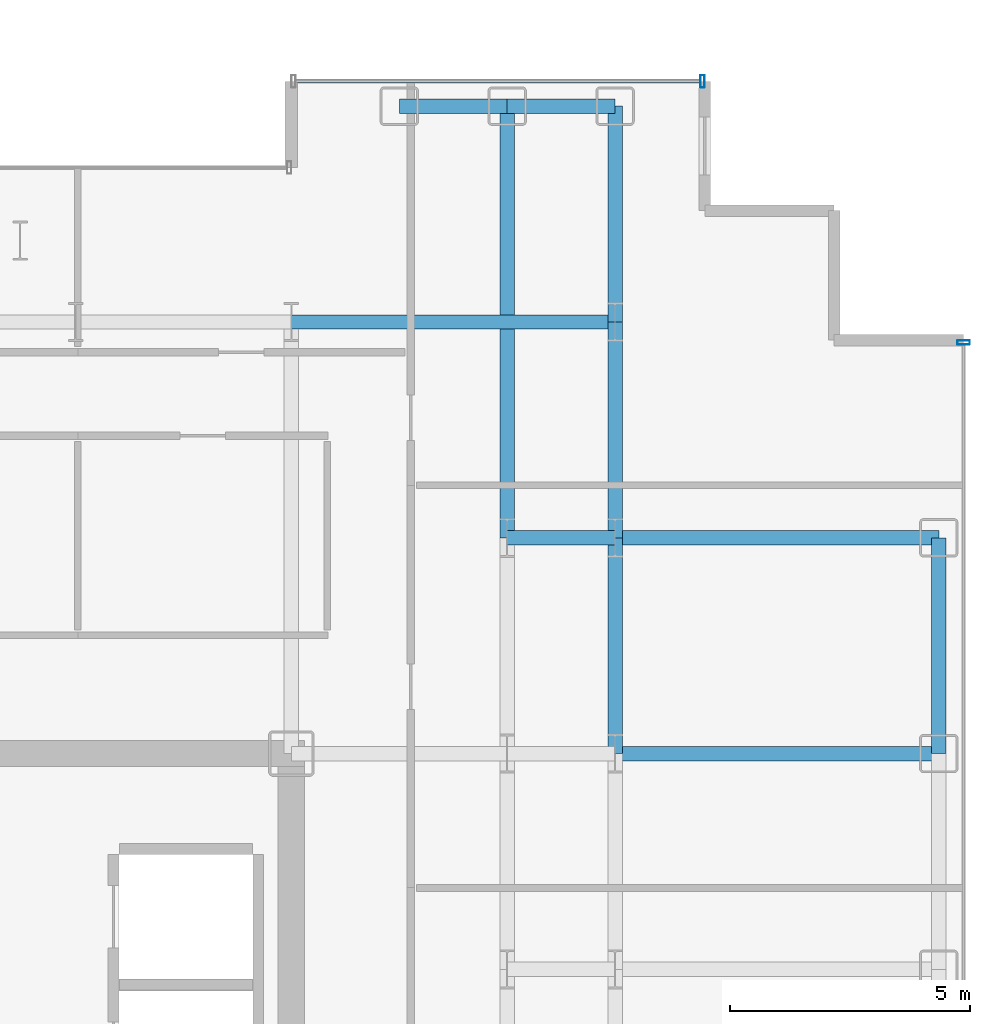
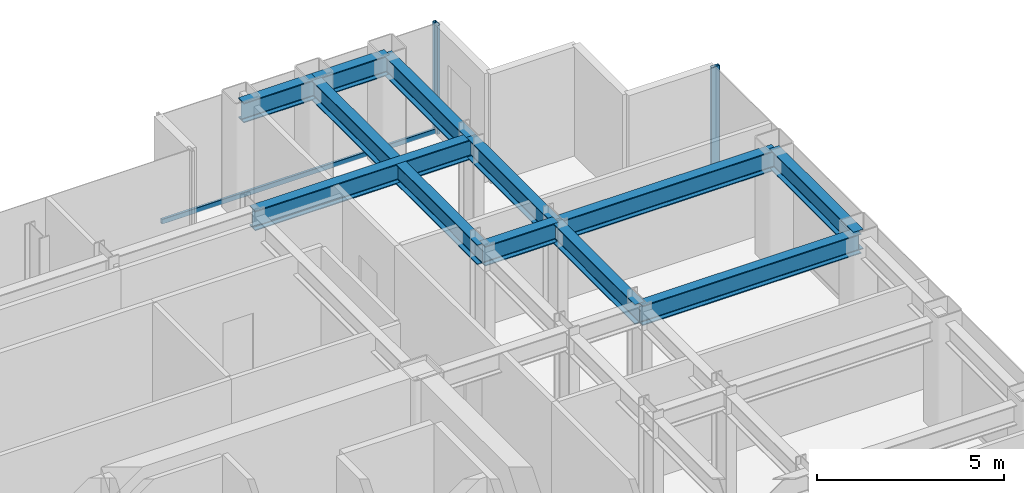
# One storey, part 14 of 23: 11 beams, 3 members, 2 elements without a shape of their own.
"""IFC4 building model written with IfcOpenShell, lengths in metres."""

from ifc_helpers import new_model, si_unit, direction, frame, origin, origin_2d, place, context, subcontext, project, spatial, hollow_rectangle, i_section, extrude, source, transform, mapped, material, layer, layer_set, material_profile, profile_set, type_object, element, aggregate, save


model = new_model("IFC4")

# Units and contexts
model_context = context("Model", 3, precision=1e-05, world=origin(), true_north=direction((0.0, 1.0)))
body_context = subcontext(model_context, "Body", "Model", "MODEL_VIEW")
ifc_project = project(units=[si_unit("LENGTHUNIT", "METRE"), si_unit("AREAUNIT", "SQUARE_METRE"), si_unit("VOLUMEUNIT", "CUBIC_METRE"), si_unit("PLANEANGLEUNIT", "RADIAN"), si_unit("MASSUNIT", "GRAM", prefix="KILO")], contexts=[model_context])

# Site, building, storey
site_placement = place(None, origin())
site = spatial("IfcSite", under=ifc_project, at=site_placement, CompositionType="ELEMENT")
building_placement = place(site_placement, origin())
building = spatial("IfcBuilding", under=site, at=building_placement, Name="Nefas-Gora Pilgrimage Tower", CompositionType="ELEMENT")
storey_placement = place(building_placement, frame((0.0, 0.0, 167.800048828125)))
storey = spatial("IfcBuildingStorey", under=building, at=storey_placement, Name="L41", CompositionType="ELEMENT", Elevation=167.800048828125)

# Beams
ifc_material_1 = material(Name="Steel S355", Category="steel")
ifc_material_profile_1 = material_profile(ifc_material_1, i_section(OverallWidth=0.300048828125, OverallDepth=0.64990234375, WebThickness=0.01611328125, FlangeThickness=0.031005859375, FilletRadius=0.027099609375, at=origin_2d()), Name="HEB 650")
ifc_profile_set_1 = profile_set([ifc_material_profile_1], Name="Steel S355")
beam_type_1 = type_object("IfcBeamType", Name="BM-SPN-HEB500", PredefinedType="SPANDREL", material=ifc_profile_set_1)
shared_shape_1 = source(origin(), body_context, "Body", "SweptSolid", [
    extrude(i_section(OverallWidth=0.300048828125, OverallDepth=0.64990234375, WebThickness=0.01611328125, FlangeThickness=0.031005859375, FilletRadius=0.027099609375, at=origin_2d()), origin(), (0.0, 0.0, 1.0), 4.5),
])
beam_1_placement = place(storey_placement, frame((24.75, 9.0, 3.224853515625), z_axis=(0.0, 1.0, 0.0), x_axis=(-1.0, 0.0, 0.0)))
element("IfcBeam", 1, at=beam_1_placement, inside=storey, type_object=beam_type_1, Name="L41 SP-02 beam", PredefinedType="SPANDREL", context=body_context, shape_type="MappedRepresentation", body=[
    mapped(shared_shape_1, transform((0.0, 0.0, 0.0), x_axis=(1.0, 0.0, 0.0), y_axis=(0.0, 1.0, 0.0), z_axis=(0.0, 0.0, 1.0), scale=1.0)),
])
ifc_material_profile_2 = material_profile(ifc_material_1, i_section(OverallWidth=0.300048828125, OverallDepth=0.64990234375, WebThickness=0.01611328125, FlangeThickness=0.031005859375, FilletRadius=0.027099609375, at=origin_2d()), Name="HEB 650")
ifc_profile_set_2 = profile_set([ifc_material_profile_2], Name="Steel S355")
beam_type_2 = type_object("IfcBeamType", Name="BM-GIR-HEB650", PredefinedType="BEAM", material=ifc_profile_set_2)
shared_shape_2 = source(origin(), body_context, "Body", "SweptSolid", [
    extrude(i_section(OverallWidth=0.300048828125, OverallDepth=0.64990234375, WebThickness=0.01611328125, FlangeThickness=0.031005859375, FilletRadius=0.027099609375, at=origin_2d()), origin(), (0.0, 0.0, 1.0), 9.0),
])
beam_2_placement = place(storey_placement, frame((15.75, 13.5, 3.224853515625), z_axis=(0.0, 1.0, 0.0), x_axis=(-1.0, 0.0, 0.0)))
element("IfcBeam", 2, at=beam_2_placement, inside=storey, type_object=beam_type_2, Name="L41 G-03 beam", PredefinedType="BEAM", context=body_context, shape_type="MappedRepresentation", body=[
    mapped(shared_shape_2, transform((0.0, 0.0, 0.0), x_axis=(1.0, 0.0, 0.0), y_axis=(0.0, 1.0, 0.0), z_axis=(0.0, 0.0, 1.0), scale=1.0)),
])
shared_shape_3 = source(origin(), body_context, "Body", "SweptSolid", [
    extrude(i_section(OverallWidth=0.300048828125, OverallDepth=0.64990234375, WebThickness=0.01611328125, FlangeThickness=0.031005859375, FilletRadius=0.027099609375, at=origin_2d()), origin(), (0.0, 0.0, 1.0), 4.5),
])
for number, where, z_axis, x_axis, name in (
    (3, (18.0, 9.0, 3.224853515625), (0.0, 1.0, 0.0), (-1.0, 0.0, 0.0), "L41 G-03 beam"),
    (4, (18.0, 13.5, 3.224853515625), (0.0, 1.0, 0.0), (-1.0, 0.0, 0.0), "L41 G-03 beam"),
    (5, (18.0, 18.0, 3.224853515625), (0.0, 1.0, 0.0), (-1.0, 0.0, 0.0), "L41 G-03 beam"),
):
    element("IfcBeam", number, at=place(storey_placement, frame(where, z_axis=z_axis, x_axis=x_axis)), inside=storey, type_object=beam_type_2, Name=name, PredefinedType="BEAM", context=body_context, shape_type="MappedRepresentation", body=[
        mapped(shared_shape_3, transform((0.0, 0.0, 0.0), x_axis=(1.0, 0.0, 0.0), y_axis=(0.0, 1.0, 0.0), z_axis=(0.0, 0.0, 1.0), scale=1.0)),
    ])
shared_shape_4 = source(origin(), body_context, "Body", "SweptSolid", [
    extrude(i_section(OverallWidth=0.300048828125, OverallDepth=0.64990234375, WebThickness=0.01611328125, FlangeThickness=0.031005859375, FilletRadius=0.027099609375, at=origin_2d()), origin(), (0.0, 0.0, 1.0), 6.75),
])
for number, where, z_axis, x_axis, name in (
    (6, (11.25, 18.0, 3.224853515625), (1.0, 0.0, 0.0), (0.0, 1.0, 0.0), "L41 G-03 beam"),
    (7, (18.0, 9.0, 3.224853515625), (1.0, 0.0, 0.0), (0.0, 1.0, 0.0), "L41 G-03 beam"),
    (8, (18.0, 13.5, 3.224853515625), (1.0, 0.0, 0.0), (0.0, 1.0, 0.0), "L41 G-03 beam"),
):
    element("IfcBeam", number, at=place(storey_placement, frame(where, z_axis=z_axis, x_axis=x_axis)), inside=storey, type_object=beam_type_2, Name=name, PredefinedType="BEAM", context=body_context, shape_type="MappedRepresentation", body=[
        mapped(shared_shape_4, transform((0.0, 0.0, 0.0), x_axis=(1.0, 0.0, 0.0), y_axis=(0.0, 1.0, 0.0), z_axis=(0.0, 0.0, 1.0), scale=1.0)),
    ])
shared_shape_5 = source(origin(), body_context, "Body", "SweptSolid", [
    extrude(i_section(OverallWidth=0.300048828125, OverallDepth=0.64990234375, WebThickness=0.01611328125, FlangeThickness=0.031005859375, FilletRadius=0.027099609375, at=origin_2d()), origin(), (0.0, 0.0, 1.0), 2.25),
])
for number, where, z_axis, x_axis, name in (
    (9, (13.5, 22.5, 3.224853515625), (1.0, 0.0, 0.0), (0.0, 1.0, 0.0), "L41 SP-02 beam"),
    (10, (15.75, 22.5, 3.224853515625), (1.0, 0.0, 0.0), (0.0, 1.0, 0.0), "L41 SP-02 beam"),
):
    element("IfcBeam", number, at=place(storey_placement, frame(where, z_axis=z_axis, x_axis=x_axis)), inside=storey, type_object=beam_type_1, Name=name, PredefinedType="SPANDREL", context=body_context, shape_type="MappedRepresentation", body=[
        mapped(shared_shape_5, transform((0.0, 0.0, 0.0), x_axis=(1.0, 0.0, 0.0), y_axis=(0.0, 1.0, 0.0), z_axis=(0.0, 0.0, 1.0), scale=1.0)),
    ])
shared_shape_6 = source(origin(), body_context, "Body", "SweptSolid", [
    extrude(i_section(OverallWidth=0.300048828125, OverallDepth=0.64990234375, WebThickness=0.01611328125, FlangeThickness=0.031005859375, FilletRadius=0.027099609375, at=origin_2d()), origin(), (0.0, 0.0, 1.0), 2.25),
])
beam_3_placement = place(storey_placement, frame((15.75, 13.5, 3.224853515625), z_axis=(1.0, 0.0, 0.0), x_axis=(0.0, 1.0, 0.0)))
element("IfcBeam", 11, at=beam_3_placement, inside=storey, type_object=beam_type_2, Name="L41 G-03 beam", PredefinedType="BEAM", context=body_context, shape_type="MappedRepresentation", body=[
    mapped(shared_shape_6, transform((0.0, 0.0, 0.0), x_axis=(1.0, 0.0, 0.0), y_axis=(0.0, 1.0, 0.0), z_axis=(0.0, 0.0, 1.0), scale=1.0)),
])

# Curtain wall, member
ifc_material_2 = material(Name="Dark ceramic-fritted solar-control aluminium-glass curtain wall", Category="aluminium")
ifc_layer = layer(ifc_material_2, 0.219970703125)
ifc_layer_set = layer_set([ifc_layer], Name="Dark ceramic-fritted solar-control aluminium-glass curtain wall")
curtain_wall_type = type_object("IfcCurtainWallType", Name="CW-SYS-3", PredefinedType="NOTDEFINED", material=ifc_layer_set)
curtain_wall_1_placement = place(storey_placement, origin())
curtain_wall_1 = element("IfcCurtainWall", 12, at=curtain_wall_1_placement, inside=storey, type_object=curtain_wall_type, Name="L41 Unitised Curtain Wall CW3", PredefinedType="NOTDEFINED")
ifc_material_3 = material(Name="Anodised architectural aluminium", Category="aluminium")
ifc_material_profile_3 = material_profile(ifc_material_3, hollow_rectangle(XDim=0.090087890625, YDim=0.260009765625, WallThickness=0.006103515625, InnerFilletRadius=0.006103515625, OuterFilletRadius=0.011962890625, at=origin_2d()), Name="ALU MULLION 90x260")
ifc_profile_set_3 = profile_set([ifc_material_profile_3], Name="Anodised architectural aluminium")
member_type_1 = type_object("IfcMemberType", Name="CWM-MUL-3", PredefinedType="MULLION", material=ifc_profile_set_3)
shared_shape_7 = source(origin(), body_context, "Body", "SweptSolid", [
    extrude(hollow_rectangle(XDim=0.090087890625, YDim=0.260009765625, WallThickness=0.006103515625, InnerFilletRadius=0.006103515625, OuterFilletRadius=0.011962890625, at=origin_2d()), origin(), (0.0, 0.0, 1.0), 3.550048828125),
])
member_1_placement = place(storey_placement, frame((25.27001953125, 17.574951171875, 0.0), z_axis=(0.0, 0.0, 1.0), x_axis=(0.0, 1.0, 0.0)))
member_1 = element("IfcMember", 13, at=member_1_placement, type_object=member_type_1, Name="CW3 Mullion 2", PredefinedType="MULLION", context=body_context, shape_type="MappedRepresentation", body=[
    mapped(shared_shape_7, transform((0.0, 0.0, 0.0), x_axis=(1.0, 0.0, 0.0), y_axis=(0.0, 1.0, 0.0), z_axis=(0.0, 0.0, 1.0), scale=1.0)),
])
aggregate(curtain_wall_1, [member_1])

# Curtain wall, members
curtain_wall_2_placement = place(storey_placement, origin())
curtain_wall_2 = element("IfcCurtainWall", 14, at=curtain_wall_2_placement, inside=storey, type_object=curtain_wall_type, Name="L41 Unitised Curtain Wall CW3", PredefinedType="NOTDEFINED")
member_2_placement = place(storey_placement, frame((19.824951171875, 23.02001953125, 0.0), z_axis=(0.0, 0.0, 1.0), x_axis=(-1.0, 0.0, 0.0)))
member_2 = element("IfcMember", 15, at=member_2_placement, type_object=member_type_1, Name="CW3 Mullion 1", PredefinedType="MULLION", context=body_context, shape_type="MappedRepresentation", body=[
    mapped(shared_shape_7, transform((0.0, 0.0, 0.0), x_axis=(1.0, 0.0, 0.0), y_axis=(0.0, 1.0, 0.0), z_axis=(0.0, 0.0, 1.0), scale=1.0)),
])
ifc_material_profile_4 = material_profile(ifc_material_3, hollow_rectangle(XDim=0.080078125, YDim=0.159912109375, WallThickness=0.00439453125, InnerFilletRadius=0.00439453125, OuterFilletRadius=0.009033203125, at=origin_2d()), Name="ALU TRANSOM 80x160")
ifc_profile_set_4 = profile_set([ifc_material_profile_4], Name="Anodised architectural aluminium")
member_type_2 = type_object("IfcMemberType", Name="CWM-TRN-3", PredefinedType="USERDEFINED", material=ifc_profile_set_4)
shared_shape_8 = source(origin(), body_context, "Body", "SweptSolid", [
    extrude(hollow_rectangle(XDim=0.080078125, YDim=0.159912109375, WallThickness=0.00439453125, InnerFilletRadius=0.00439453125, OuterFilletRadius=0.009033203125, at=origin_2d()), origin(), (0.0, 0.0, 1.0), 8.43994140625),
])
member_3_placement = place(storey_placement, frame((19.780029296875, 23.02001953125, 0.050048828125), z_axis=(-1.0, 0.0, 0.0), x_axis=(0.0, -1.0, 0.0)))
member_3 = element("IfcMember", 16, at=member_3_placement, type_object=member_type_2, Name="CW3 Spandrel Transom", ObjectType="TRANSOM", PredefinedType="USERDEFINED", context=body_context, shape_type="MappedRepresentation", body=[
    mapped(shared_shape_8, transform((0.0, 0.0, 0.0), x_axis=(1.0, 0.0, 0.0), y_axis=(0.0, 1.0, 0.0), z_axis=(0.0, 0.0, 1.0), scale=1.0)),
])
aggregate(curtain_wall_2, [member_2, member_3])

save(model, "model.ifc")
